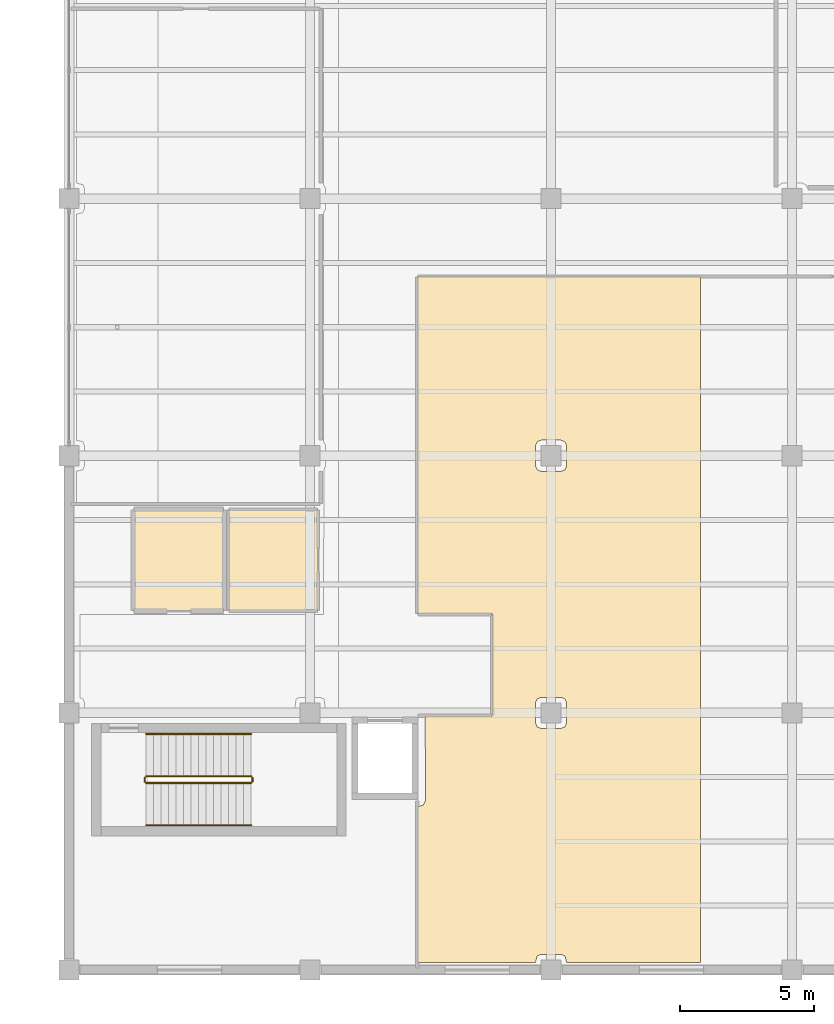
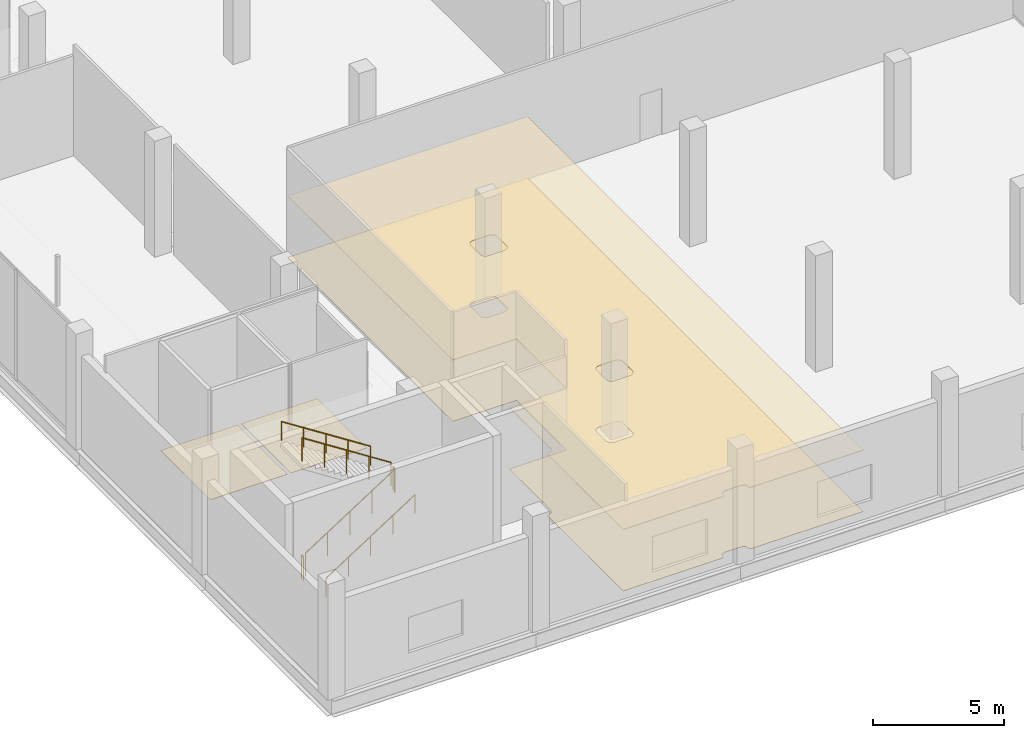
# One storey, part 45 of 47: 6 railings, 4 coverings.
"""IFC4 building model written with IfcOpenShell, lengths in metres."""

from ifc_helpers import new_model, si_unit, direction, frame, origin, origin_2d, place, context, subcontext, project, spatial, polyline, circle, outline, extrude, material, layer, layer_set, type_object, element, save


model = new_model("IFC4")

# Units and contexts
model_context = context("Model", 3, precision=1e-05, world=origin(), true_north=direction((0.0, 1.0)))
body_context = subcontext(model_context, "Body", "Model", "MODEL_VIEW")
ifc_project = project(units=[si_unit("LENGTHUNIT", "METRE"), si_unit("AREAUNIT", "SQUARE_METRE"), si_unit("VOLUMEUNIT", "CUBIC_METRE"), si_unit("PLANEANGLEUNIT", "RADIAN"), si_unit("MASSUNIT", "GRAM", prefix="KILO")], contexts=[model_context])

# Site, building, storey
site_placement = place(None, origin())
site = spatial("IfcSite", under=ifc_project, at=site_placement, CompositionType="ELEMENT")
building_placement = place(site_placement, origin())
building = spatial("IfcBuilding", under=site, at=building_placement, Name="Qorvath Tower", CompositionType="ELEMENT")
storey_placement = place(building_placement, frame((0.0, 0.0, 6.60009765625)))
storey = spatial("IfcBuildingStorey", under=building, at=storey_placement, Name="L01", CompositionType="ELEMENT", Elevation=6.60009765625)

# Coverings
ifc_material_1 = material(Name="Acoustic mineral fibre ceiling tile", Category="gypsum")
ifc_layer_1 = layer(ifc_material_1, 0.030029296875)
ifc_layer_set_1 = layer_set([ifc_layer_1], Name="COV-CEIL")
covering_type_1 = type_object("IfcCoveringType", Name="COV-CEIL", PredefinedType="CEILING", material=ifc_layer_set_1)
covering_1_placement = place(storey_placement, frame((0.0, 0.0, 2.849853515625)))
element("IfcCovering", 1, at=covering_1_placement, inside=storey, type_object=covering_type_1, Name="L01 Suspended Acoustic Ceiling 007", PredefinedType="CEILING", context=body_context, shape_type="SweptSolid", body=[
    extrude(outline(polyline([(55.97509765625, -38.114990234375), (55.97509765625, -12.51025390625), (45.4130859375, -12.512939453125), (45.4130859375, -25.10693359375), (48.21142578125, -25.1083984375), (48.212890625, -28.907958984375), (45.69873046875, -28.9130859375), (45.7099609375, -32.06005859375), (45.63671875, -32.23681640625), (45.405029296875, -32.31005859375), (45.405029296875, -38.114990234375), (49.821044921875, -38.114990234375), (49.878662109375, -37.88232421875), (50.023193359375, -37.8203125), (50.77490234375, -37.820068359375), (50.92138671875, -37.88232421875), (50.97900390625, -38.114990234375), (55.97509765625, -38.114990234375)]), holes=[polyline([(50.921142578125, -28.28173828125), (50.97998046875, -28.425048828125), (50.97998046875, -29.175048828125), (50.918212890625, -29.321044921875), (50.77490234375, -29.3798828125), (50.02490234375, -29.3798828125), (49.87890625, -29.318359375), (49.820068359375, -29.175048828125), (49.820068359375, -28.425048828125), (49.881591796875, -28.279052734375), (50.02490234375, -28.219970703125), (50.77490234375, -28.219970703125), (50.921142578125, -28.28173828125)]), polyline([(50.921142578125, -18.681640625), (50.97998046875, -18.824951171875), (50.97998046875, -19.574951171875), (50.918212890625, -19.720947265625), (50.77490234375, -19.780029296875), (50.02490234375, -19.780029296875), (49.87890625, -19.71826171875), (49.820068359375, -19.574951171875), (49.820068359375, -18.824951171875), (49.881591796875, -18.678955078125), (50.02490234375, -18.6201171875), (50.77490234375, -18.6201171875), (50.921142578125, -18.681640625)])]), origin(), (0.0, 0.0, 1.0), 0.030029296875),
])
ifc_material_2 = material(Name="Low-VOC modular carpet tile", Category="textile")
ifc_layer_2 = layer(ifc_material_2, 0.014892578125)
ifc_layer_set_2 = layer_set([ifc_layer_2], Name="COV-FLOOR-CPT")
covering_type_2 = type_object("IfcCoveringType", Name="COV-FLOOR-CPT", PredefinedType="FLOORING", material=ifc_layer_set_2)
covering_2_placement = place(storey_placement, origin())
element("IfcCovering", 2, at=covering_2_placement, inside=storey, type_object=covering_type_2, Name="L01 Floor Finish 004", PredefinedType="FLOORING", context=body_context, shape_type="SweptSolid", body=[
    extrude(outline(polyline([(38.195068359375, -21.205078125), (34.804931640625, -21.205078125), (34.804931640625, -24.9951171875), (38.195068359375, -24.9951171875), (38.195068359375, -21.205078125)])), origin(), (0.0, 0.0, 1.0), 0.014892578125),
])
covering_3_placement = place(storey_placement, origin())
element("IfcCovering", 3, at=covering_3_placement, inside=storey, type_object=covering_type_2, Name="L01 Floor Finish 007", PredefinedType="FLOORING", context=body_context, shape_type="SweptSolid", body=[
    extrude(outline(polyline([(55.97509765625, -38.114990234375), (55.97509765625, -12.51025390625), (45.4130859375, -12.512939453125), (45.4130859375, -25.10693359375), (48.21142578125, -25.1083984375), (48.212890625, -28.907958984375), (45.69873046875, -28.9130859375), (45.7099609375, -32.06005859375), (45.63671875, -32.23681640625), (45.405029296875, -32.31005859375), (45.405029296875, -38.114990234375), (49.821044921875, -38.114990234375), (49.878662109375, -37.88232421875), (50.023193359375, -37.8203125), (50.77490234375, -37.820068359375), (50.92138671875, -37.88232421875), (50.97900390625, -38.114990234375), (55.97509765625, -38.114990234375)]), holes=[polyline([(50.921142578125, -28.28173828125), (50.97998046875, -28.425048828125), (50.97998046875, -29.175048828125), (50.918212890625, -29.321044921875), (50.77490234375, -29.3798828125), (50.02490234375, -29.3798828125), (49.87890625, -29.318359375), (49.820068359375, -29.175048828125), (49.820068359375, -28.425048828125), (49.881591796875, -28.279052734375), (50.02490234375, -28.219970703125), (50.77490234375, -28.219970703125), (50.921142578125, -28.28173828125)]), polyline([(50.921142578125, -18.681640625), (50.97998046875, -18.824951171875), (50.97998046875, -19.574951171875), (50.918212890625, -19.720947265625), (50.77490234375, -19.780029296875), (50.02490234375, -19.780029296875), (49.87890625, -19.71826171875), (49.820068359375, -19.574951171875), (49.820068359375, -18.824951171875), (49.881591796875, -18.678955078125), (50.02490234375, -18.6201171875), (50.77490234375, -18.6201171875), (50.921142578125, -18.681640625)])]), origin(), (0.0, 0.0, 1.0), 0.014892578125),
])
ifc_material_3 = material(Name="Polished epoxy terrazzo flooring", Category="concrete")
ifc_layer_3 = layer(ifc_material_3, 0.02001953125)
ifc_layer_set_3 = layer_set([ifc_layer_3], Name="COV-FLOOR-TRZ")
covering_type_3 = type_object("IfcCoveringType", Name="COV-FLOOR-TRZ", PredefinedType="FLOORING", material=ifc_layer_set_3)
covering_4_placement = place(storey_placement, origin())
element("IfcCovering", 4, at=covering_4_placement, inside=storey, type_object=covering_type_3, Name="L01 Floor Finish 003", PredefinedType="FLOORING", context=body_context, shape_type="SweptSolid", body=[
    extrude(outline(polyline([(41.695068359375, -21.205078125), (38.35498046875, -21.205078125), (38.35498046875, -24.9951171875), (41.695068359375, -24.9951171875), (41.695068359375, -21.205078125)])), origin(), (0.0, 0.0, 1.0), 0.014892578125),
])

# Railings
ifc_material_4 = material(Name="Painted galvanised steel", Category="steel")
railing_type_1 = type_object("IfcRailingType", Name="RL-STR-GRD", PredefinedType="GUARDRAIL", material=ifc_material_4)
railing_1_placement = place(storey_placement, frame((35.280029296875, -31.419921875, 0.179931640625)))
element("IfcRailing", 5, at=railing_1_placement, inside=storey, type_object=railing_type_1, Name="L01 LS2 stair guard 1", PredefinedType="GUARDRAIL", context=body_context, shape_type="SweptSolid", body=[
    extrude(circle(Radius=0.02392578125, at=origin_2d()), frame((0.0, 0.0, 1.076171875), z_axis=(0.841171666519, 0.0, 0.540768182723), x_axis=(0.0, 1.0, 0.0)), (0.0, 0.0, 1.0), 4.66015625),
    extrude(circle(Radius=0.02099609375, at=origin_2d()), origin(), (0.0, 0.0, 1.0), 1.052001953125),
    extrude(circle(Radius=0.02099609375, at=origin_2d()), frame((0.97998046875, 0.0, 0.6298828125)), (0.0, 0.0, 1.0), 1.052001953125),
    extrude(circle(Radius=0.02099609375, at=origin_2d()), frame((1.9599609375, 0.0, 1.260009765625)), (0.0, 0.0, 1.0), 1.052001953125),
    extrude(circle(Radius=0.02099609375, at=origin_2d()), frame((2.93994140625, 0.0, 1.89013671875)), (0.0, 0.0, 1.0), 1.052001953125),
    extrude(circle(Radius=0.02099609375, at=origin_2d()), frame((3.919921875, 0.0, 2.52001953125)), (0.0, 0.0, 1.0), 1.052001953125),
])
railing_2_placement = place(storey_placement, frame((39.25, -31.3701171875, 2.699951171875)))
element("IfcRailing", 6, at=railing_2_placement, inside=storey, type_object=railing_type_1, Name="L01 LS2 stair guard 2", PredefinedType="GUARDRAIL", context=body_context, shape_type="SweptSolid", body=[
    extrude(circle(Radius=0.02392578125, at=origin_2d()), frame((0.0, 0.0, 1.076171875), z_axis=(0.0, 1.0, 0.0), x_axis=(-1.0, 0.0, 0.0)), (0.0, 0.0, 1.0), 0.150146484375),
    extrude(circle(Radius=0.02099609375, at=origin_2d()), origin(), (0.0, 0.0, 1.0), 1.052001953125),
    extrude(circle(Radius=0.02099609375, at=origin_2d()), frame((0.0, 0.150146484375, 0.0)), (0.0, 0.0, 1.0), 1.052001953125),
])
railing_3_placement = place(storey_placement, frame((39.199951171875, -31.169921875, 2.8798828125)))
element("IfcRailing", 7, at=railing_3_placement, inside=storey, type_object=railing_type_1, Name="L01 LS2 stair guard 3", PredefinedType="GUARDRAIL", context=body_context, shape_type="SweptSolid", body=[
    extrude(circle(Radius=0.02392578125, at=origin_2d()), frame((0.0, 0.0, 1.076171875), z_axis=(-0.841171666519, 0.0, 0.540768182723), x_axis=(0.0, -1.0, 0.0)), (0.0, 0.0, 1.0), 4.66015625),
    extrude(circle(Radius=0.02099609375, at=origin_2d()), origin(), (0.0, 0.0, 1.0), 1.052001953125),
    extrude(circle(Radius=0.02099609375, at=origin_2d()), frame((-0.97998046875, 0.0, 0.6298828125)), (0.0, 0.0, 1.0), 1.052001953125),
    extrude(circle(Radius=0.02099609375, at=origin_2d()), frame((-1.9599609375, 0.0, 1.260009765625)), (0.0, 0.0, 1.0), 1.052001953125),
    extrude(circle(Radius=0.02099609375, at=origin_2d()), frame((-2.93994140625, 0.0, 1.89013671875)), (0.0, 0.0, 1.0), 1.052001953125),
    extrude(circle(Radius=0.02099609375, at=origin_2d()), frame((-3.919921875, 0.0, 2.52001953125)), (0.0, 0.0, 1.0), 1.052001953125),
])
railing_4_placement = place(storey_placement, frame((35.22998046875, -31.3701171875, 0.0)))
element("IfcRailing", 8, at=railing_4_placement, inside=storey, type_object=railing_type_1, Name="L01 LS2 stair guard 4", PredefinedType="GUARDRAIL", context=body_context, shape_type="SweptSolid", body=[
    extrude(circle(Radius=0.02392578125, at=origin_2d()), frame((0.0, 0.0, 1.076171875), z_axis=(0.0, 1.0, 0.0), x_axis=(-1.0, 0.0, 0.0)), (0.0, 0.0, 1.0), 0.150146484375),
    extrude(circle(Radius=0.02099609375, at=origin_2d()), origin(), (0.0, 0.0, 1.0), 1.052001953125),
    extrude(circle(Radius=0.02099609375, at=origin_2d()), frame((0.0, 0.150146484375, 0.0)), (0.0, 0.0, 1.0), 1.052001953125),
])
ifc_material_5 = material(Name="Brushed stainless steel AISI 304", Category="steel")
railing_type_2 = type_object("IfcRailingType", Name="RL-STR-HND", PredefinedType="HANDRAIL", material=ifc_material_5)
railing_5_placement = place(storey_placement, frame((35.280029296875, -33.0, 0.179931640625)))
element("IfcRailing", 9, at=railing_5_placement, inside=storey, type_object=railing_type_2, Name="L01 LS2 stair handrail 1", PredefinedType="HANDRAIL", context=body_context, shape_type="SweptSolid", body=[
    extrude(circle(Radius=0.02392578125, at=origin_2d()), frame((0.0, 0.0, 0.8759765625), z_axis=(0.841171666519, 0.0, 0.540768182723), x_axis=(0.0, 1.0, 0.0)), (0.0, 0.0, 1.0), 4.66015625),
    extrude(circle(Radius=0.02099609375, at=origin_2d()), origin(), (0.0, 0.0, 1.0), 0.851806640625),
    extrude(circle(Radius=0.02099609375, at=origin_2d()), frame((0.97998046875, 0.0, 0.6298828125)), (0.0, 0.0, 1.0), 0.851806640625),
    extrude(circle(Radius=0.02099609375, at=origin_2d()), frame((1.9599609375, 0.0, 1.260009765625)), (0.0, 0.0, 1.0), 0.851806640625),
    extrude(circle(Radius=0.02099609375, at=origin_2d()), frame((2.93994140625, 0.0, 1.89013671875)), (0.0, 0.0, 1.0), 0.851806640625),
    extrude(circle(Radius=0.02099609375, at=origin_2d()), frame((3.919921875, 0.0, 2.52001953125)), (0.0, 0.0, 1.0), 0.851806640625),
])
railing_6_placement = place(storey_placement, frame((39.199951171875, -29.590087890625, 2.8798828125)))
element("IfcRailing", 10, at=railing_6_placement, inside=storey, type_object=railing_type_2, Name="L01 LS2 stair handrail 2", PredefinedType="HANDRAIL", context=body_context, shape_type="SweptSolid", body=[
    extrude(circle(Radius=0.02392578125, at=origin_2d()), frame((0.0, 0.0, 0.8759765625), z_axis=(-0.841171666519, 0.0, 0.540768182723), x_axis=(0.0, -1.0, 0.0)), (0.0, 0.0, 1.0), 4.66015625),
    extrude(circle(Radius=0.02099609375, at=origin_2d()), origin(), (0.0, 0.0, 1.0), 0.851806640625),
    extrude(circle(Radius=0.02099609375, at=origin_2d()), frame((-0.97998046875, 0.0, 0.6298828125)), (0.0, 0.0, 1.0), 0.851806640625),
    extrude(circle(Radius=0.02099609375, at=origin_2d()), frame((-1.9599609375, 0.0, 1.260009765625)), (0.0, 0.0, 1.0), 0.851806640625),
    extrude(circle(Radius=0.02099609375, at=origin_2d()), frame((-2.93994140625, 0.0, 1.89013671875)), (0.0, 0.0, 1.0), 0.851806640625),
    extrude(circle(Radius=0.02099609375, at=origin_2d()), frame((-3.919921875, 0.0, 2.52001953125)), (0.0, 0.0, 1.0), 0.851806640625),
])

save(model, "model.ifc")
